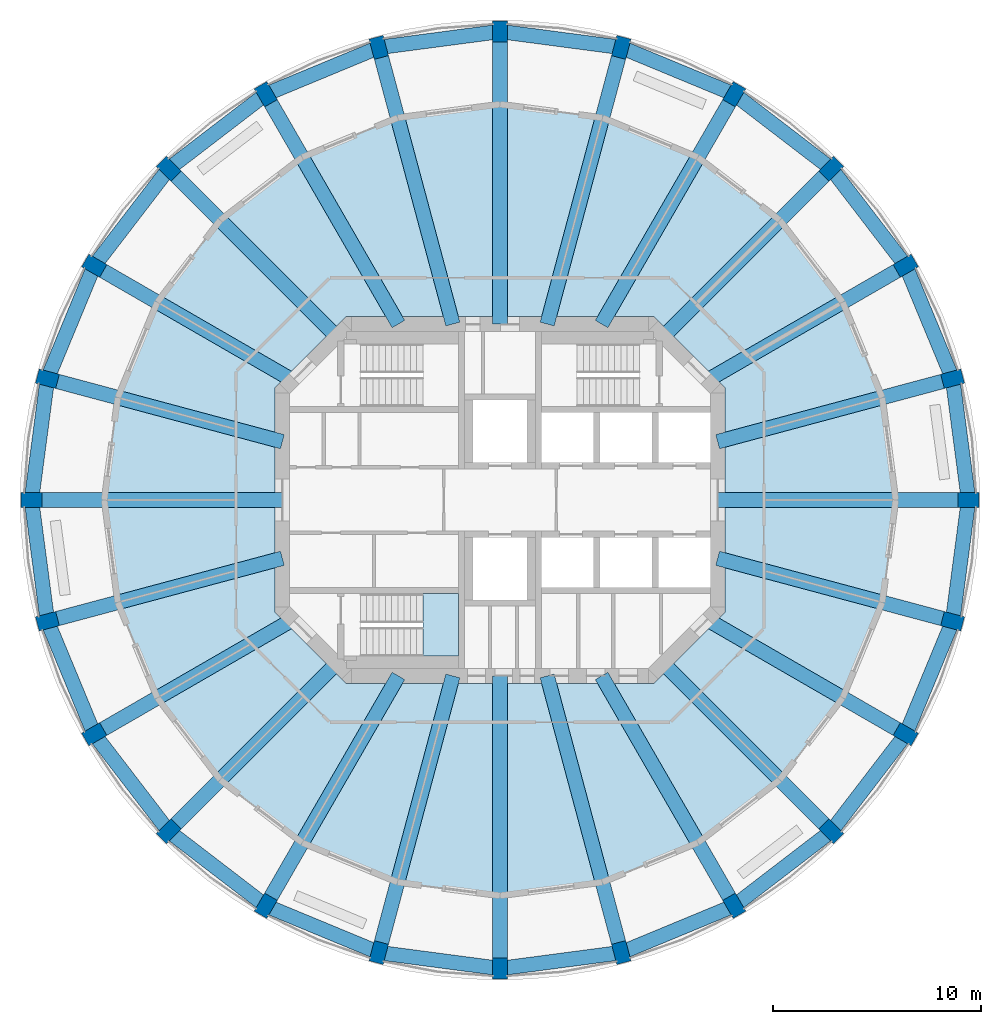
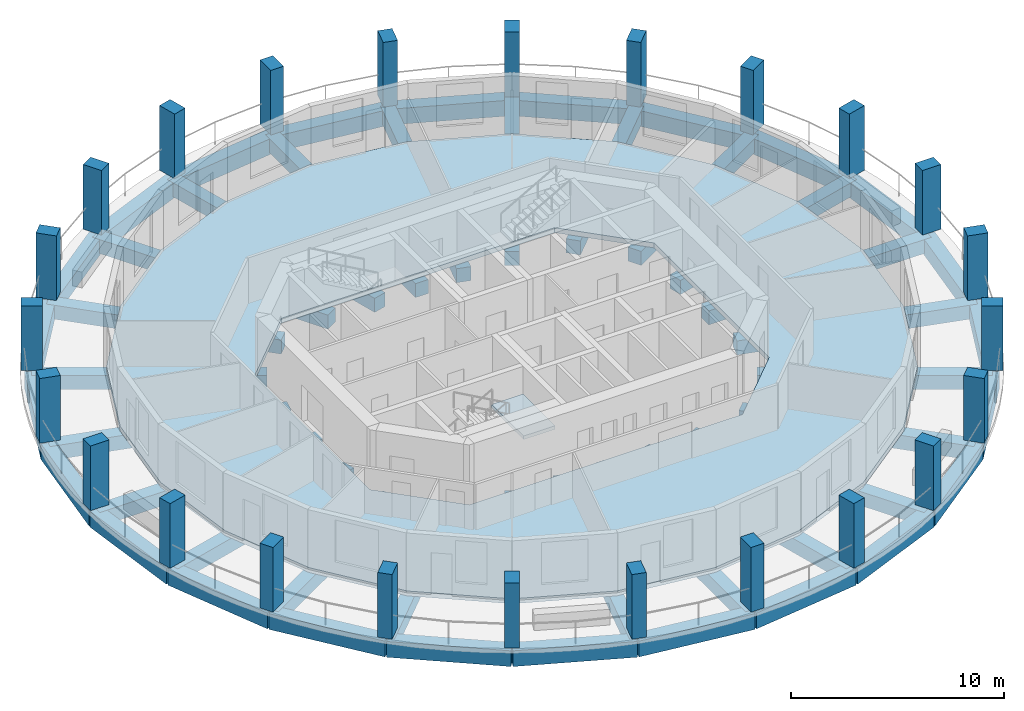
# One storey, part 1 of 9: 48 beams, 24 columns, 2 slabs, 1 element without a shape of its own.
"""IFC4 building model written with IfcOpenShell, lengths in metres."""

from ifc_helpers import new_model, si_unit, direction, frame, origin, origin_2d, place, context, subcontext, project, spatial, polyline, rectangle, outline, extrude, material, layer, layer_set, material_profile, profile_set, type_object, element, aggregate, save


model = new_model("IFC4")

# Units and contexts
model_context = context("Model", 3, precision=1e-05, world=origin(), true_north=direction((0.0, 1.0)))
body_context = subcontext(model_context, "Body", "Model", "MODEL_VIEW")
ifc_project = project(units=[si_unit("LENGTHUNIT", "METRE"), si_unit("AREAUNIT", "SQUARE_METRE"), si_unit("VOLUMEUNIT", "CUBIC_METRE"), si_unit("PLANEANGLEUNIT", "RADIAN"), si_unit("MASSUNIT", "GRAM", prefix="KILO")], contexts=[model_context])

# Site, building, storey
site_placement = place(None, origin())
site = spatial("IfcSite", under=ifc_project, at=site_placement, CompositionType="ELEMENT")
building_placement = place(site_placement, origin())
building = spatial("IfcBuilding", under=site, at=building_placement, Name="Torre Triforio", CompositionType="ELEMENT")
storey_placement = place(building_placement, frame((0.0, 0.0, 172.699951171875)))
storey = spatial("IfcBuildingStorey", under=building, at=storey_placement, Name="L39", CompositionType="ELEMENT", Elevation=172.699951171875)

# Columns
ifc_material_1 = material(Name="Concrete C50", Category="concrete")
ifc_material_profile_1 = material_profile(ifc_material_1, rectangle(XDim=0.699951171875, YDim=1.0, at=origin_2d()), Name="RC 700x1000")
ifc_profile_set_1 = profile_set([ifc_material_profile_1], Name="Concrete C50")
column_type = type_object("IfcColumnType", Name="Pier RC 700x1000 C50", PredefinedType="COLUMN", material=ifc_profile_set_1)
for number, where, z_axis, x_axis, name in (
    (1, (22.5, 0.0, 0.0), (0.0, 0.0, 1.0), (0.0, 1.0, 0.0), "COL.R.L39.00"),
    (2, (21.7333984375, 5.823486328125, 0.0), (0.0, 0.0, 1.0), (-0.258819045103, 0.965925826289, 0.0), "COL.R.L39.01"),
    (3, (19.485595703125, 11.25, 0.0), (0.0, 0.0, 1.0), (-0.5, 0.866025403784, 0.0), "COL.R.L39.02"),
    (4, (15.909912109375, 15.909912109375, 0.0), (0.0, 0.0, 1.0), (-0.707106781187, 0.707106781187, 0.0), "COL.R.L39.03"),
    (5, (11.25, 19.485595703125, 0.0), (0.0, 0.0, 1.0), (-0.866025403784, 0.5, 0.0), "COL.R.L39.04"),
    (6, (5.823486328125, 21.7333984375, 0.0), (0.0, 0.0, 1.0), (-0.965925826289, 0.258819045103, 0.0), "COL.R.L39.05"),
    (7, (0.0, 22.5, 0.0), (0.0, 0.0, 1.0), (-1.0, 0.0, 0.0), "COL.R.L39.06"),
    (8, (-5.823486328125, 21.7333984375, 0.0), (0.0, 0.0, 1.0), (-0.965925826289, -0.258819045103, 0.0), "COL.R.L39.07"),
    (9, (-11.25, 19.485595703125, 0.0), (0.0, 0.0, 1.0), (-0.866025403784, -0.5, 0.0), "COL.R.L39.08"),
    (10, (-15.909912109375, 15.909912109375, 0.0), (0.0, 0.0, 1.0), (-0.707106781187, -0.707106781187, 0.0), "COL.R.L39.09"),
    (11, (-19.485595703125, 11.25, 0.0), (0.0, 0.0, 1.0), (-0.5, -0.866025403784, 0.0), "COL.R.L39.10"),
    (12, (-21.7333984375, 5.823486328125, 0.0), (0.0, 0.0, 1.0), (-0.258819045103, -0.965925826289, 0.0), "COL.R.L39.11"),
    (13, (-22.5, 0.0, 0.0), (0.0, 0.0, 1.0), (0.0, -1.0, 0.0), "COL.R.L39.12"),
    (14, (-21.7333984375, -5.823486328125, 0.0), (0.0, 0.0, 1.0), (0.258819045103, -0.965925826289, 0.0), "COL.R.L39.13"),
    (15, (-19.485595703125, -11.25, 0.0), (0.0, 0.0, 1.0), (0.5, -0.866025403784, 0.0), "COL.R.L39.14"),
    (16, (-15.909912109375, -15.909912109375, 0.0), (0.0, 0.0, 1.0), (0.707106781187, -0.707106781187, 0.0), "COL.R.L39.15"),
    (17, (-11.25, -19.485595703125, 0.0), (0.0, 0.0, 1.0), (0.866025403784, -0.5, 0.0), "COL.R.L39.16"),
    (18, (-5.823486328125, -21.7333984375, 0.0), (0.0, 0.0, 1.0), (0.965925826289, -0.258819045103, 0.0), "COL.R.L39.17"),
    (19, (0.0, -22.5, 0.0), (0.0, 0.0, 1.0), (1.0, 0.0, 0.0), "COL.R.L39.18"),
    (20, (5.823486328125, -21.7333984375, 0.0), (0.0, 0.0, 1.0), (0.965925826289, 0.258819045103, 0.0), "COL.R.L39.19"),
    (21, (11.25, -19.485595703125, 0.0), (0.0, 0.0, 1.0), (0.866025403784, 0.5, 0.0), "COL.R.L39.20"),
    (22, (15.909912109375, -15.909912109375, 0.0), (0.0, 0.0, 1.0), (0.707106781187, 0.707106781187, 0.0), "COL.R.L39.21"),
    (23, (19.485595703125, -11.25, 0.0), (0.0, 0.0, 1.0), (0.5, 0.866025403784, 0.0), "COL.R.L39.22"),
    (24, (21.7333984375, -5.823486328125, 0.0), (0.0, 0.0, 1.0), (0.258819045103, 0.965925826289, 0.0), "COL.R.L39.23"),
):
    element("IfcColumn", number, at=place(storey_placement, frame(where, z_axis=z_axis, x_axis=x_axis)), inside=storey, type_object=column_type, Name=name, PredefinedType="COLUMN", context=body_context, shape_type="SweptSolid", body=[
        extrude(rectangle(XDim=0.699951171875, YDim=1.0, at=origin_2d()), origin(), (0.0, 0.0, 1.0), 3.699951171875),
    ])

# Beams
ifc_material_2 = material(Name="Concrete C40", Category="concrete")
ifc_material_profile_2 = material_profile(ifc_material_2, rectangle(XDim=0.699951171875, YDim=0.800048828125, at=origin_2d()), Name="RC 700x800")
ifc_profile_set_2 = profile_set([ifc_material_profile_2], Name="Concrete C40")
beam_type_1 = type_object("IfcBeamType", Name="Radial beam RC 700x800 C40", PredefinedType="BEAM", material=ifc_profile_set_2)
beam_1_placement = place(storey_placement, frame((10.449951171875, 0.0, -0.679931640625), z_axis=(1.0, 0.0, 0.0), x_axis=(0.0, 1.0, 0.0)))
element("IfcBeam", 25, at=beam_1_placement, inside=storey, type_object=beam_type_1, Name="BM.R.L39.00", PredefinedType="BEAM", context=body_context, shape_type="SweptSolid", body=[
    extrude(rectangle(XDim=0.699951171875, YDim=0.800048828125, at=origin_2d()), origin(), (0.0, 0.0, 1.0), 12.050048828125),
])
beam_2_placement = place(storey_placement, frame((10.449951171875, 2.800048828125, -0.679931640625), z_axis=(0.965924822187, 0.258822792435, 0.0), x_axis=(-0.258822792435, 0.965924822187, 0.0)))
element("IfcBeam", 26, at=beam_2_placement, inside=storey, type_object=beam_type_1, Name="BM.R.L39.01", PredefinedType="BEAM", context=body_context, shape_type="SweptSolid", body=[
    extrude(rectangle(XDim=0.699951171875, YDim=0.800048828125, at=origin_2d()), origin(), (0.0, 0.0, 1.0), 11.681396484375),
])
beam_3_placement = place(storey_placement, frame((9.9501953125, 5.744873046875, -0.679931640625), z_axis=(0.866030871389, 0.499990529712, 0.0), x_axis=(-0.499990529712, 0.866030871389, 0.0)))
element("IfcBeam", 27, at=beam_3_placement, inside=storey, type_object=beam_type_1, Name="BM.R.L39.02", PredefinedType="BEAM", context=body_context, shape_type="SweptSolid", body=[
    extrude(rectangle(XDim=0.699951171875, YDim=0.800048828125, at=origin_2d()), origin(), (0.0, 0.0, 1.0), 11.010498046875),
])
beam_4_placement = place(storey_placement, frame((7.847412109375, 7.847412109375, -0.679931640625), z_axis=(0.707106781187, 0.707106781187, 0.0), x_axis=(-0.707106781187, 0.707106781187, 0.0)))
element("IfcBeam", 28, at=beam_4_placement, inside=storey, type_object=beam_type_1, Name="BM.R.L39.03", PredefinedType="BEAM", context=body_context, shape_type="SweptSolid", body=[
    extrude(rectangle(XDim=0.699951171875, YDim=0.800048828125, at=origin_2d()), origin(), (0.0, 0.0, 1.0), 11.402099609375),
])
beam_5_placement = place(storey_placement, frame((4.878662109375, 8.449951171875, -0.679931640625), z_axis=(0.499994440966, 0.866028613271, 0.0), x_axis=(-0.866028613271, 0.499994440966, 0.0)))
element("IfcBeam", 29, at=beam_5_placement, inside=storey, type_object=beam_type_1, Name="BM.R.L39.04", PredefinedType="BEAM", context=body_context, shape_type="SweptSolid", body=[
    extrude(rectangle(XDim=0.699951171875, YDim=0.800048828125, at=origin_2d()), origin(), (0.0, 0.0, 1.0), 12.742919921875),
])
beam_6_placement = place(storey_placement, frame((2.26416015625, 8.449951171875, -0.679931640625), z_axis=(0.258821569245, 0.965925149944, 0.0), x_axis=(-0.965925149944, 0.258821569245, 0.0)))
element("IfcBeam", 30, at=beam_6_placement, inside=storey, type_object=beam_type_1, Name="BM.R.L39.05", PredefinedType="BEAM", context=body_context, shape_type="SweptSolid", body=[
    extrude(rectangle(XDim=0.699951171875, YDim=0.800048828125, at=origin_2d()), origin(), (0.0, 0.0, 1.0), 13.751953125),
])
beam_7_placement = place(storey_placement, frame((0.0, 8.449951171875, -0.679931640625), z_axis=(0.0, 1.0, 0.0), x_axis=(-1.0, 0.0, 0.0)))
element("IfcBeam", 31, at=beam_7_placement, inside=storey, type_object=beam_type_1, Name="BM.R.L39.06", PredefinedType="BEAM", context=body_context, shape_type="SweptSolid", body=[
    extrude(rectangle(XDim=0.699951171875, YDim=0.800048828125, at=origin_2d()), origin(), (0.0, 0.0, 1.0), 14.050048828125),
])
beam_8_placement = place(storey_placement, frame((-2.26416015625, 8.449951171875, -0.679931640625), z_axis=(-0.258821569245, 0.965925149944, 0.0), x_axis=(-0.965925149944, -0.258821569245, 0.0)))
element("IfcBeam", 32, at=beam_8_placement, inside=storey, type_object=beam_type_1, Name="BM.R.L39.07", PredefinedType="BEAM", context=body_context, shape_type="SweptSolid", body=[
    extrude(rectangle(XDim=0.699951171875, YDim=0.800048828125, at=origin_2d()), origin(), (0.0, 0.0, 1.0), 13.751953125),
])
beam_9_placement = place(storey_placement, frame((-4.878662109375, 8.449951171875, -0.679931640625), z_axis=(-0.499994440966, 0.866028613271, 0.0), x_axis=(-0.866028613271, -0.499994440966, 0.0)))
element("IfcBeam", 33, at=beam_9_placement, inside=storey, type_object=beam_type_1, Name="BM.R.L39.08", PredefinedType="BEAM", context=body_context, shape_type="SweptSolid", body=[
    extrude(rectangle(XDim=0.699951171875, YDim=0.800048828125, at=origin_2d()), origin(), (0.0, 0.0, 1.0), 12.742919921875),
])
beam_10_placement = place(storey_placement, frame((-7.847412109375, 7.847412109375, -0.679931640625), z_axis=(-0.707106781187, 0.707106781187, 0.0), x_axis=(-0.707106781187, -0.707106781187, 0.0)))
element("IfcBeam", 34, at=beam_10_placement, inside=storey, type_object=beam_type_1, Name="BM.R.L39.09", PredefinedType="BEAM", context=body_context, shape_type="SweptSolid", body=[
    extrude(rectangle(XDim=0.699951171875, YDim=0.800048828125, at=origin_2d()), origin(), (0.0, 0.0, 1.0), 11.402099609375),
])
beam_11_placement = place(storey_placement, frame((-9.9501953125, 5.744873046875, -0.679931640625), z_axis=(-0.866030871389, 0.499990529712, 0.0), x_axis=(-0.499990529712, -0.866030871389, 0.0)))
element("IfcBeam", 35, at=beam_11_placement, inside=storey, type_object=beam_type_1, Name="BM.R.L39.10", PredefinedType="BEAM", context=body_context, shape_type="SweptSolid", body=[
    extrude(rectangle(XDim=0.699951171875, YDim=0.800048828125, at=origin_2d()), origin(), (0.0, 0.0, 1.0), 11.010498046875),
])
beam_12_placement = place(storey_placement, frame((-10.449951171875, 2.800048828125, -0.679931640625), z_axis=(-0.965924822187, 0.258822792435, 0.0), x_axis=(-0.258822792435, -0.965924822187, 0.0)))
element("IfcBeam", 36, at=beam_12_placement, inside=storey, type_object=beam_type_1, Name="BM.R.L39.11", PredefinedType="BEAM", context=body_context, shape_type="SweptSolid", body=[
    extrude(rectangle(XDim=0.699951171875, YDim=0.800048828125, at=origin_2d()), origin(), (0.0, 0.0, 1.0), 11.681396484375),
])
beam_13_placement = place(storey_placement, frame((-10.449951171875, 0.0, -0.679931640625), z_axis=(-1.0, 0.0, 0.0), x_axis=(0.0, -1.0, 0.0)))
element("IfcBeam", 37, at=beam_13_placement, inside=storey, type_object=beam_type_1, Name="BM.R.L39.12", PredefinedType="BEAM", context=body_context, shape_type="SweptSolid", body=[
    extrude(rectangle(XDim=0.699951171875, YDim=0.800048828125, at=origin_2d()), origin(), (0.0, 0.0, 1.0), 12.050048828125),
])
beam_14_placement = place(storey_placement, frame((-10.449951171875, -2.800048828125, -0.679931640625), z_axis=(-0.965924822187, -0.258822792435, 0.0), x_axis=(0.258822792435, -0.965924822187, 0.0)))
element("IfcBeam", 38, at=beam_14_placement, inside=storey, type_object=beam_type_1, Name="BM.R.L39.13", PredefinedType="BEAM", context=body_context, shape_type="SweptSolid", body=[
    extrude(rectangle(XDim=0.699951171875, YDim=0.800048828125, at=origin_2d()), origin(), (0.0, 0.0, 1.0), 11.681396484375),
])
beam_15_placement = place(storey_placement, frame((-9.9501953125, -5.744873046875, -0.679931640625), z_axis=(-0.866030871389, -0.499990529712, 0.0), x_axis=(0.499990529712, -0.866030871389, 0.0)))
element("IfcBeam", 39, at=beam_15_placement, inside=storey, type_object=beam_type_1, Name="BM.R.L39.14", PredefinedType="BEAM", context=body_context, shape_type="SweptSolid", body=[
    extrude(rectangle(XDim=0.699951171875, YDim=0.800048828125, at=origin_2d()), origin(), (0.0, 0.0, 1.0), 11.010498046875),
])
beam_16_placement = place(storey_placement, frame((-7.847412109375, -7.847412109375, -0.679931640625), z_axis=(-0.707106781187, -0.707106781187, 0.0), x_axis=(0.707106781187, -0.707106781187, 0.0)))
element("IfcBeam", 40, at=beam_16_placement, inside=storey, type_object=beam_type_1, Name="BM.R.L39.15", PredefinedType="BEAM", context=body_context, shape_type="SweptSolid", body=[
    extrude(rectangle(XDim=0.699951171875, YDim=0.800048828125, at=origin_2d()), origin(), (0.0, 0.0, 1.0), 11.402099609375),
])
beam_17_placement = place(storey_placement, frame((-4.878662109375, -8.449951171875, -0.679931640625), z_axis=(-0.499994440966, -0.866028613271, 0.0), x_axis=(0.866028613271, -0.499994440966, 0.0)))
element("IfcBeam", 41, at=beam_17_placement, inside=storey, type_object=beam_type_1, Name="BM.R.L39.16", PredefinedType="BEAM", context=body_context, shape_type="SweptSolid", body=[
    extrude(rectangle(XDim=0.699951171875, YDim=0.800048828125, at=origin_2d()), origin(), (0.0, 0.0, 1.0), 12.742919921875),
])
beam_18_placement = place(storey_placement, frame((-2.26416015625, -8.449951171875, -0.679931640625), z_axis=(-0.258821569245, -0.965925149944, 0.0), x_axis=(0.965925149944, -0.258821569245, 0.0)))
element("IfcBeam", 42, at=beam_18_placement, inside=storey, type_object=beam_type_1, Name="BM.R.L39.17", PredefinedType="BEAM", context=body_context, shape_type="SweptSolid", body=[
    extrude(rectangle(XDim=0.699951171875, YDim=0.800048828125, at=origin_2d()), origin(), (0.0, 0.0, 1.0), 13.751953125),
])
beam_19_placement = place(storey_placement, frame((0.0, -8.449951171875, -0.679931640625), z_axis=(0.0, -1.0, 0.0), x_axis=(1.0, 0.0, 0.0)))
element("IfcBeam", 43, at=beam_19_placement, inside=storey, type_object=beam_type_1, Name="BM.R.L39.18", PredefinedType="BEAM", context=body_context, shape_type="SweptSolid", body=[
    extrude(rectangle(XDim=0.699951171875, YDim=0.800048828125, at=origin_2d()), origin(), (0.0, 0.0, 1.0), 14.050048828125),
])
beam_20_placement = place(storey_placement, frame((2.26416015625, -8.449951171875, -0.679931640625), z_axis=(0.258821569245, -0.965925149944, 0.0), x_axis=(0.965925149944, 0.258821569245, 0.0)))
element("IfcBeam", 44, at=beam_20_placement, inside=storey, type_object=beam_type_1, Name="BM.R.L39.19", PredefinedType="BEAM", context=body_context, shape_type="SweptSolid", body=[
    extrude(rectangle(XDim=0.699951171875, YDim=0.800048828125, at=origin_2d()), origin(), (0.0, 0.0, 1.0), 13.751953125),
])
beam_21_placement = place(storey_placement, frame((4.878662109375, -8.449951171875, -0.679931640625), z_axis=(0.499994440966, -0.866028613271, 0.0), x_axis=(0.866028613271, 0.499994440966, 0.0)))
element("IfcBeam", 45, at=beam_21_placement, inside=storey, type_object=beam_type_1, Name="BM.R.L39.20", PredefinedType="BEAM", context=body_context, shape_type="SweptSolid", body=[
    extrude(rectangle(XDim=0.699951171875, YDim=0.800048828125, at=origin_2d()), origin(), (0.0, 0.0, 1.0), 12.742919921875),
])
beam_22_placement = place(storey_placement, frame((7.847412109375, -7.847412109375, -0.679931640625), z_axis=(0.707106781187, -0.707106781187, 0.0), x_axis=(0.707106781187, 0.707106781187, 0.0)))
element("IfcBeam", 46, at=beam_22_placement, inside=storey, type_object=beam_type_1, Name="BM.R.L39.21", PredefinedType="BEAM", context=body_context, shape_type="SweptSolid", body=[
    extrude(rectangle(XDim=0.699951171875, YDim=0.800048828125, at=origin_2d()), origin(), (0.0, 0.0, 1.0), 11.402099609375),
])
beam_23_placement = place(storey_placement, frame((9.9501953125, -5.744873046875, -0.679931640625), z_axis=(0.866030871389, -0.499990529712, 0.0), x_axis=(0.499990529712, 0.866030871389, 0.0)))
element("IfcBeam", 47, at=beam_23_placement, inside=storey, type_object=beam_type_1, Name="BM.R.L39.22", PredefinedType="BEAM", context=body_context, shape_type="SweptSolid", body=[
    extrude(rectangle(XDim=0.699951171875, YDim=0.800048828125, at=origin_2d()), origin(), (0.0, 0.0, 1.0), 11.010498046875),
])
beam_24_placement = place(storey_placement, frame((10.449951171875, -2.800048828125, -0.679931640625), z_axis=(0.965924822187, -0.258822792435, 0.0), x_axis=(0.258822792435, 0.965924822187, 0.0)))
element("IfcBeam", 48, at=beam_24_placement, inside=storey, type_object=beam_type_1, Name="BM.R.L39.23", PredefinedType="BEAM", context=body_context, shape_type="SweptSolid", body=[
    extrude(rectangle(XDim=0.699951171875, YDim=0.800048828125, at=origin_2d()), origin(), (0.0, 0.0, 1.0), 11.681396484375),
])
ifc_material_profile_3 = material_profile(ifc_material_2, rectangle(XDim=0.699951171875, YDim=0.89990234375, at=origin_2d()), Name="RC 700x900")
ifc_profile_set_3 = profile_set([ifc_material_profile_3], Name="Concrete C40")
beam_type_2 = type_object("IfcBeamType", Name="Spandrel beam RC 700x900 C40", PredefinedType="SPANDREL", material=ifc_profile_set_3)
beam_25_placement = place(storey_placement, frame((22.5, 0.0, -0.72998046875), z_axis=(-0.13051364818, 0.991446512747, 0.0), x_axis=(-0.991446512747, -0.13051364818, 0.0)))
element("IfcBeam", 49, at=beam_25_placement, inside=storey, type_object=beam_type_2, Name="BM.S.L39.00", PredefinedType="SPANDREL", context=body_context, shape_type="SweptSolid", body=[
    extrude(rectangle(XDim=0.699951171875, YDim=0.89990234375, at=origin_2d()), origin(), (0.0, 0.0, 1.0), 5.873779296875),
])
beam_26_placement = place(storey_placement, frame((21.7333984375, 5.823486328125, -0.72998046875), z_axis=(-0.382693194178, 0.923875488976, 0.0), x_axis=(-0.923875488976, -0.382693194178, 0.0)))
element("IfcBeam", 50, at=beam_26_placement, inside=storey, type_object=beam_type_2, Name="BM.S.L39.01", PredefinedType="SPANDREL", context=body_context, shape_type="SweptSolid", body=[
    extrude(rectangle(XDim=0.699951171875, YDim=0.89990234375, at=origin_2d()), origin(), (0.0, 0.0, 1.0), 5.87353515625),
])
for number, where, z_axis, x_axis, name in (
    (51, (19.485595703125, 11.25, -0.72998046875), (-0.608762208108, 0.793352742466, 0.0), (-0.793352742466, -0.608762208108, 0.0), "BM.S.L39.02"),
    (52, (15.909912109375, 15.909912109375, -0.72998046875), (-0.793352742466, 0.608762208108, 0.0), (-0.608762208108, -0.793352742466, 0.0), "BM.S.L39.03"),
):
    element("IfcBeam", number, at=place(storey_placement, frame(where, z_axis=z_axis, x_axis=x_axis)), inside=storey, type_object=beam_type_2, Name=name, PredefinedType="SPANDREL", context=body_context, shape_type="SweptSolid", body=[
        extrude(rectangle(XDim=0.699951171875, YDim=0.89990234375, at=origin_2d()), origin(), (0.0, 0.0, 1.0), 5.873779296875),
    ])
beam_27_placement = place(storey_placement, frame((11.25, 19.485595703125, -0.72998046875), z_axis=(-0.923875488976, 0.382693194178, 0.0), x_axis=(-0.382693194178, -0.923875488976, 0.0)))
element("IfcBeam", 53, at=beam_27_placement, inside=storey, type_object=beam_type_2, Name="BM.S.L39.04", PredefinedType="SPANDREL", context=body_context, shape_type="SweptSolid", body=[
    extrude(rectangle(XDim=0.699951171875, YDim=0.89990234375, at=origin_2d()), origin(), (0.0, 0.0, 1.0), 5.87353515625),
])
for number, where, z_axis, x_axis, name in (
    (54, (5.823486328125, 21.7333984375, -0.72998046875), (-0.991446512747, 0.13051364818, 0.0), (-0.13051364818, -0.991446512747, 0.0), "BM.S.L39.05"),
    (55, (0.0, 22.5, -0.72998046875), (-0.991446512747, -0.13051364818, 0.0), (0.13051364818, -0.991446512747, 0.0), "BM.S.L39.06"),
):
    element("IfcBeam", number, at=place(storey_placement, frame(where, z_axis=z_axis, x_axis=x_axis)), inside=storey, type_object=beam_type_2, Name=name, PredefinedType="SPANDREL", context=body_context, shape_type="SweptSolid", body=[
        extrude(rectangle(XDim=0.699951171875, YDim=0.89990234375, at=origin_2d()), origin(), (0.0, 0.0, 1.0), 5.873779296875),
    ])
beam_28_placement = place(storey_placement, frame((-5.823486328125, 21.7333984375, -0.72998046875), z_axis=(-0.923875488976, -0.382693194178, 0.0), x_axis=(0.382693194178, -0.923875488976, 0.0)))
element("IfcBeam", 56, at=beam_28_placement, inside=storey, type_object=beam_type_2, Name="BM.S.L39.07", PredefinedType="SPANDREL", context=body_context, shape_type="SweptSolid", body=[
    extrude(rectangle(XDim=0.699951171875, YDim=0.89990234375, at=origin_2d()), origin(), (0.0, 0.0, 1.0), 5.87353515625),
])
for number, where, z_axis, x_axis, name in (
    (57, (-11.25, 19.485595703125, -0.72998046875), (-0.793352742466, -0.608762208108, 0.0), (0.608762208108, -0.793352742466, 0.0), "BM.S.L39.08"),
    (58, (-15.909912109375, 15.909912109375, -0.72998046875), (-0.608762208108, -0.793352742466, 0.0), (0.793352742466, -0.608762208108, 0.0), "BM.S.L39.09"),
):
    element("IfcBeam", number, at=place(storey_placement, frame(where, z_axis=z_axis, x_axis=x_axis)), inside=storey, type_object=beam_type_2, Name=name, PredefinedType="SPANDREL", context=body_context, shape_type="SweptSolid", body=[
        extrude(rectangle(XDim=0.699951171875, YDim=0.89990234375, at=origin_2d()), origin(), (0.0, 0.0, 1.0), 5.873779296875),
    ])
beam_29_placement = place(storey_placement, frame((-19.485595703125, 11.25, -0.72998046875), z_axis=(-0.382693194178, -0.923875488976, 0.0), x_axis=(0.923875488976, -0.382693194178, 0.0)))
element("IfcBeam", 59, at=beam_29_placement, inside=storey, type_object=beam_type_2, Name="BM.S.L39.10", PredefinedType="SPANDREL", context=body_context, shape_type="SweptSolid", body=[
    extrude(rectangle(XDim=0.699951171875, YDim=0.89990234375, at=origin_2d()), origin(), (0.0, 0.0, 1.0), 5.87353515625),
])
for number, where, z_axis, x_axis, name in (
    (60, (-21.7333984375, 5.823486328125, -0.72998046875), (-0.13051364818, -0.991446512747, 0.0), (0.991446512747, -0.13051364818, 0.0), "BM.S.L39.11"),
    (61, (-22.5, 0.0, -0.72998046875), (0.13051364818, -0.991446512747, 0.0), (0.991446512747, 0.13051364818, 0.0), "BM.S.L39.12"),
):
    element("IfcBeam", number, at=place(storey_placement, frame(where, z_axis=z_axis, x_axis=x_axis)), inside=storey, type_object=beam_type_2, Name=name, PredefinedType="SPANDREL", context=body_context, shape_type="SweptSolid", body=[
        extrude(rectangle(XDim=0.699951171875, YDim=0.89990234375, at=origin_2d()), origin(), (0.0, 0.0, 1.0), 5.873779296875),
    ])
beam_30_placement = place(storey_placement, frame((-21.7333984375, -5.823486328125, -0.72998046875), z_axis=(0.382693194178, -0.923875488976, 0.0), x_axis=(0.923875488976, 0.382693194178, 0.0)))
element("IfcBeam", 62, at=beam_30_placement, inside=storey, type_object=beam_type_2, Name="BM.S.L39.13", PredefinedType="SPANDREL", context=body_context, shape_type="SweptSolid", body=[
    extrude(rectangle(XDim=0.699951171875, YDim=0.89990234375, at=origin_2d()), origin(), (0.0, 0.0, 1.0), 5.87353515625),
])
for number, where, z_axis, x_axis, name in (
    (63, (-19.485595703125, -11.25, -0.72998046875), (0.608762208108, -0.793352742466, 0.0), (0.793352742466, 0.608762208108, 0.0), "BM.S.L39.14"),
    (64, (-15.909912109375, -15.909912109375, -0.72998046875), (0.793352742466, -0.608762208108, 0.0), (0.608762208108, 0.793352742466, 0.0), "BM.S.L39.15"),
):
    element("IfcBeam", number, at=place(storey_placement, frame(where, z_axis=z_axis, x_axis=x_axis)), inside=storey, type_object=beam_type_2, Name=name, PredefinedType="SPANDREL", context=body_context, shape_type="SweptSolid", body=[
        extrude(rectangle(XDim=0.699951171875, YDim=0.89990234375, at=origin_2d()), origin(), (0.0, 0.0, 1.0), 5.873779296875),
    ])
beam_31_placement = place(storey_placement, frame((-11.25, -19.485595703125, -0.72998046875), z_axis=(0.923875488976, -0.382693194178, 0.0), x_axis=(0.382693194178, 0.923875488976, 0.0)))
element("IfcBeam", 65, at=beam_31_placement, inside=storey, type_object=beam_type_2, Name="BM.S.L39.16", PredefinedType="SPANDREL", context=body_context, shape_type="SweptSolid", body=[
    extrude(rectangle(XDim=0.699951171875, YDim=0.89990234375, at=origin_2d()), origin(), (0.0, 0.0, 1.0), 5.87353515625),
])
for number, where, z_axis, x_axis, name in (
    (66, (-5.823486328125, -21.7333984375, -0.72998046875), (0.991446512747, -0.13051364818, 0.0), (0.13051364818, 0.991446512747, 0.0), "BM.S.L39.17"),
    (67, (0.0, -22.5, -0.72998046875), (0.991446512747, 0.13051364818, 0.0), (-0.13051364818, 0.991446512747, 0.0), "BM.S.L39.18"),
):
    element("IfcBeam", number, at=place(storey_placement, frame(where, z_axis=z_axis, x_axis=x_axis)), inside=storey, type_object=beam_type_2, Name=name, PredefinedType="SPANDREL", context=body_context, shape_type="SweptSolid", body=[
        extrude(rectangle(XDim=0.699951171875, YDim=0.89990234375, at=origin_2d()), origin(), (0.0, 0.0, 1.0), 5.873779296875),
    ])
beam_32_placement = place(storey_placement, frame((5.823486328125, -21.7333984375, -0.72998046875), z_axis=(0.923875488976, 0.382693194178, 0.0), x_axis=(-0.382693194178, 0.923875488976, 0.0)))
element("IfcBeam", 68, at=beam_32_placement, inside=storey, type_object=beam_type_2, Name="BM.S.L39.19", PredefinedType="SPANDREL", context=body_context, shape_type="SweptSolid", body=[
    extrude(rectangle(XDim=0.699951171875, YDim=0.89990234375, at=origin_2d()), origin(), (0.0, 0.0, 1.0), 5.87353515625),
])
for number, where, z_axis, x_axis, name in (
    (69, (11.25, -19.485595703125, -0.72998046875), (0.793352742466, 0.608762208108, 0.0), (-0.608762208108, 0.793352742466, 0.0), "BM.S.L39.20"),
    (70, (15.909912109375, -15.909912109375, -0.72998046875), (0.608762208108, 0.793352742466, 0.0), (-0.793352742466, 0.608762208108, 0.0), "BM.S.L39.21"),
):
    element("IfcBeam", number, at=place(storey_placement, frame(where, z_axis=z_axis, x_axis=x_axis)), inside=storey, type_object=beam_type_2, Name=name, PredefinedType="SPANDREL", context=body_context, shape_type="SweptSolid", body=[
        extrude(rectangle(XDim=0.699951171875, YDim=0.89990234375, at=origin_2d()), origin(), (0.0, 0.0, 1.0), 5.873779296875),
    ])
beam_33_placement = place(storey_placement, frame((19.485595703125, -11.25, -0.72998046875), z_axis=(0.382693194178, 0.923875488976, 0.0), x_axis=(-0.923875488976, 0.382693194178, 0.0)))
element("IfcBeam", 71, at=beam_33_placement, inside=storey, type_object=beam_type_2, Name="BM.S.L39.22", PredefinedType="SPANDREL", context=body_context, shape_type="SweptSolid", body=[
    extrude(rectangle(XDim=0.699951171875, YDim=0.89990234375, at=origin_2d()), origin(), (0.0, 0.0, 1.0), 5.87353515625),
])
beam_34_placement = place(storey_placement, frame((21.7333984375, -5.823486328125, -0.72998046875), z_axis=(0.13051364818, 0.991446512747, 0.0), x_axis=(-0.991446512747, 0.13051364818, 0.0)))
element("IfcBeam", 72, at=beam_34_placement, inside=storey, type_object=beam_type_2, Name="BM.S.L39.23", PredefinedType="SPANDREL", context=body_context, shape_type="SweptSolid", body=[
    extrude(rectangle(XDim=0.699951171875, YDim=0.89990234375, at=origin_2d()), origin(), (0.0, 0.0, 1.0), 5.873779296875),
])

# Slab
ifc_layer_1 = layer(ifc_material_2, 0.280029296875)
ifc_layer_set_1 = layer_set([ifc_layer_1], Name="Concrete C40")
slab_type_1 = type_object("IfcSlabType", Name="Floor slab 280 C40", PredefinedType="FLOOR", material=ifc_layer_set_1)
slab_1_placement = place(storey_placement, frame((0.0, 0.0, -0.280029296875)))
element("IfcSlab", 73, at=slab_1_placement, inside=storey, type_object=slab_type_1, Name="SL.L39", PredefinedType="FLOOR", context=body_context, shape_type="SweptSolid", body=[
    extrude(outline(polyline([(16.45458984375, -9.5), (18.3525390625, -4.91748046875), (19.0, 0.0), (18.3525390625, 4.91748046875), (16.45458984375, 9.5), (13.43505859375, 13.43505859375), (9.5, 16.45458984375), (4.91748046875, 18.3525390625), (0.0, 19.0), (-4.91748046875, 18.3525390625), (-9.5, 16.45458984375), (-13.43505859375, 13.43505859375), (-16.45458984375, 9.5), (-18.3525390625, 4.91748046875), (-19.0, 0.0), (-18.3525390625, -4.91748046875), (-16.45458984375, -9.5), (-13.43505859375, -13.43505859375), (-9.5, -16.45458984375), (-4.91748046875, -18.3525390625), (0.0, -19.0), (4.91748046875, -18.3525390625), (9.5, -16.45458984375), (13.43505859375, -13.43505859375), (16.45458984375, -9.5)]), holes=[polyline([(10.800048828125, 5.389892578125), (10.800048828125, -5.389892578125), (7.389892578125, -8.800048828125), (-7.389892578125, -8.800048828125), (-10.800048828125, -5.389892578125), (-10.800048828125, 5.389892578125), (-7.389892578125, 8.800048828125), (7.389892578125, 8.800048828125), (10.800048828125, 5.389892578125)])]), origin(), (0.0, 0.0, 1.0), 0.280029296875),
])

# Stair, slab
stair_type = type_object("IfcStairType", Name="STAIR HALF-TURN", PredefinedType="HALF_TURN_STAIR", material=ifc_material_2)
stair_placement = place(storey_placement, origin())
stair = element("IfcStair", 74, at=stair_placement, inside=storey, type_object=stair_type, Name="Exit stair 3", PredefinedType="HALF_TURN_STAIR")
ifc_layer_2 = layer(ifc_material_2, 0.199951171875)
ifc_layer_set_2 = layer_set([ifc_layer_2], Name="Concrete C40")
slab_type_2 = type_object("IfcSlabType", Name="STAIR LANDING 200", PredefinedType="LANDING", material=ifc_layer_set_2)
slab_2_placement = place(storey_placement, frame((0.0, 0.0, 1.650146484375)))
slab_2 = element("IfcSlab", 75, at=slab_2_placement, type_object=slab_type_2, Name="ST3 landing 1", PredefinedType="LANDING", context=body_context, shape_type="SweptSolid", body=[
    extrude(outline(polyline([(-2.0, -7.5), (-2.0, -4.5), (-3.699951171875, -4.5), (-3.699951171875, -7.5), (-2.0, -7.5)])), origin(), (0.0, 0.0, 1.0), 0.199951171875),
])
aggregate(stair, [slab_2])

save(model, "model.ifc")
